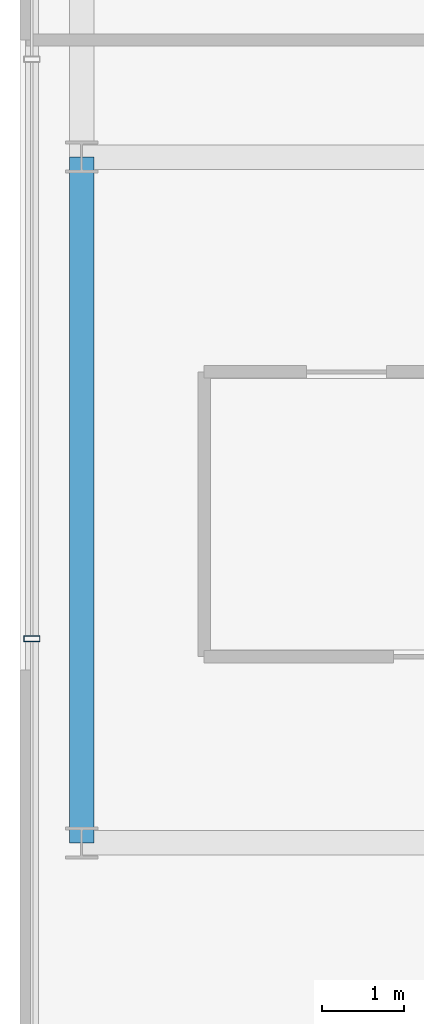
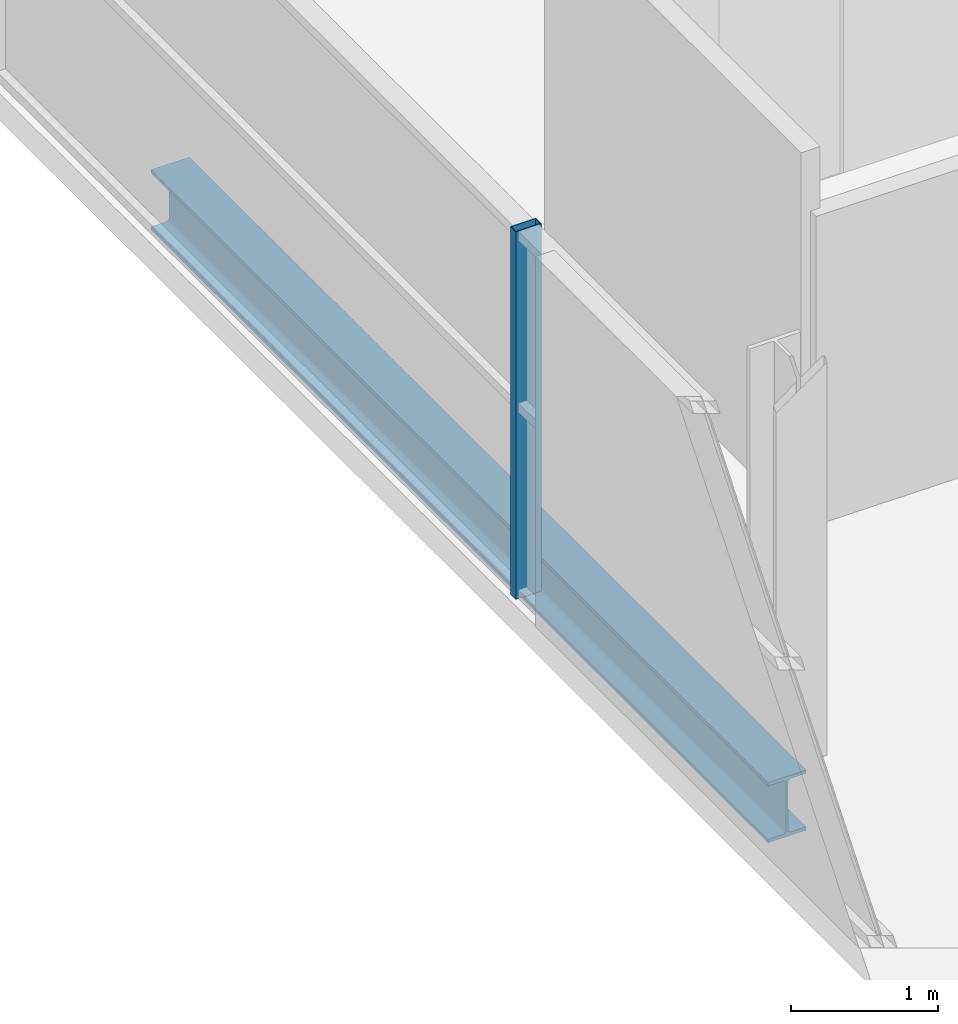
# One storey, part 4 of 25: 1 beam, 1 member, 1 element without a shape of its own.
"""IFC4 building model written with IfcOpenShell, lengths in metres."""

from ifc_helpers import new_model, si_unit, direction, frame, origin, origin_2d, place, context, subcontext, project, spatial, hollow_rectangle, i_section, extrude, source, transform, mapped, material, layer, layer_set, material_profile, profile_set, type_object, element, aggregate, save


model = new_model("IFC4")

# Units and contexts
model_context = context("Model", 3, precision=1e-05, world=origin(), true_north=direction((0.0, 1.0)))
body_context = subcontext(model_context, "Body", "Model", "MODEL_VIEW")
ifc_project = project(units=[si_unit("LENGTHUNIT", "METRE"), si_unit("AREAUNIT", "SQUARE_METRE"), si_unit("VOLUMEUNIT", "CUBIC_METRE"), si_unit("PLANEANGLEUNIT", "RADIAN"), si_unit("MASSUNIT", "GRAM", prefix="KILO")], contexts=[model_context])

# Site, building, storey
site_placement = place(None, origin())
site = spatial("IfcSite", under=ifc_project, at=site_placement, CompositionType="ELEMENT")
building_placement = place(site_placement, origin())
building = spatial("IfcBuilding", under=site, at=building_placement, Name="Zarnakvel Exchange Tower", CompositionType="ELEMENT")
storey_placement = place(building_placement, frame((0.0, 0.0, 169.300048828125)))
storey = spatial("IfcBuildingStorey", under=building, at=storey_placement, Name="L47", CompositionType="ELEMENT", Elevation=169.300048828125)

# Beam
ifc_material_1 = material(Name="Steel S355", Category="steel")
ifc_material_profile_1 = material_profile(ifc_material_1, i_section(OverallWidth=0.300048828125, OverallDepth=0.5, WebThickness=0.014404296875, FlangeThickness=0.028076171875, FilletRadius=0.027099609375, at=origin_2d()))
ifc_profile_set_1 = profile_set([ifc_material_profile_1], Name="Steel S355")
beam_type = type_object("IfcBeamType", Name="SP-02", PredefinedType="SPANDREL", material=ifc_profile_set_1)
beam_placement = place(storey_placement, frame((-25.85009765625, -9.60009765625, -0.47509765625), z_axis=(0.0, 1.0, 0.0), x_axis=(-1.0, 0.0, 0.0)))
element("IfcBeam", 1, at=beam_placement, inside=storey, type_object=beam_type, Name="L47 Tower N-S Frame Beam", PredefinedType="SPANDREL", context=body_context, shape_type="SweptSolid", body=[
    extrude(i_section(OverallWidth=0.300048828125, OverallDepth=0.5, WebThickness=0.014404296875, FlangeThickness=0.028076171875, FilletRadius=0.027099609375, at=origin_2d()), origin(), (0.0, 0.0, 1.0), 8.400146484375),
])

# Curtain wall, member
ifc_material_2 = material(Name="Architectural Bronze Anodised Aluminium", Category="aluminium")
ifc_layer = layer(ifc_material_2, 0.199951171875)
ifc_layer_set = layer_set([ifc_layer], Name="Architectural Bronze Anodised Aluminium")
curtain_wall_type = type_object("IfcCurtainWallType", Name="CW-04", PredefinedType="NOTDEFINED", material=ifc_layer_set)
curtain_wall_placement = place(storey_placement, origin())
curtain_wall = element("IfcCurtainWall", 2, at=curtain_wall_placement, inside=storey, type_object=curtain_wall_type, Name="L47 Curtain Wall CW-L47-W1 (CW-04)", PredefinedType="NOTDEFINED")
ifc_material_profile_2 = material_profile(ifc_material_2, hollow_rectangle(XDim=0.199951171875, YDim=0.074951171875, WallThickness=0.0048828125, at=origin_2d()))
ifc_profile_set_2 = profile_set([ifc_material_profile_2], Name="Architectural Bronze Anodised Aluminium")
member_type = type_object("IfcMemberType", Name="CWM-04", PredefinedType="MULLION", material=ifc_profile_set_2)
shared_shape = source(origin(), body_context, "Body", "SweptSolid", [
    extrude(hollow_rectangle(XDim=0.199951171875, YDim=0.074951171875, WallThickness=0.0048828125, at=origin_2d()), origin(), (0.0, 0.0, 1.0), 3.054931640625),
])
member_placement = place(storey_placement, frame((-26.4599609375, -7.10009765625, 0.0), z_axis=(0.0, 0.0, 1.0), x_axis=(-1.0, 0.0, 0.0)))
member = element("IfcMember", 3, at=member_placement, type_object=member_type, Name="CW-04 mullion 2", PredefinedType="MULLION", context=body_context, shape_type="MappedRepresentation", body=[
    mapped(shared_shape, transform((0.0, 0.0, 0.0), x_axis=(1.0, 0.0, 0.0), y_axis=(0.0, 1.0, 0.0), z_axis=(0.0, 0.0, 1.0), scale=1.0)),
])
aggregate(curtain_wall, [member])

save(model, "model.ifc")
